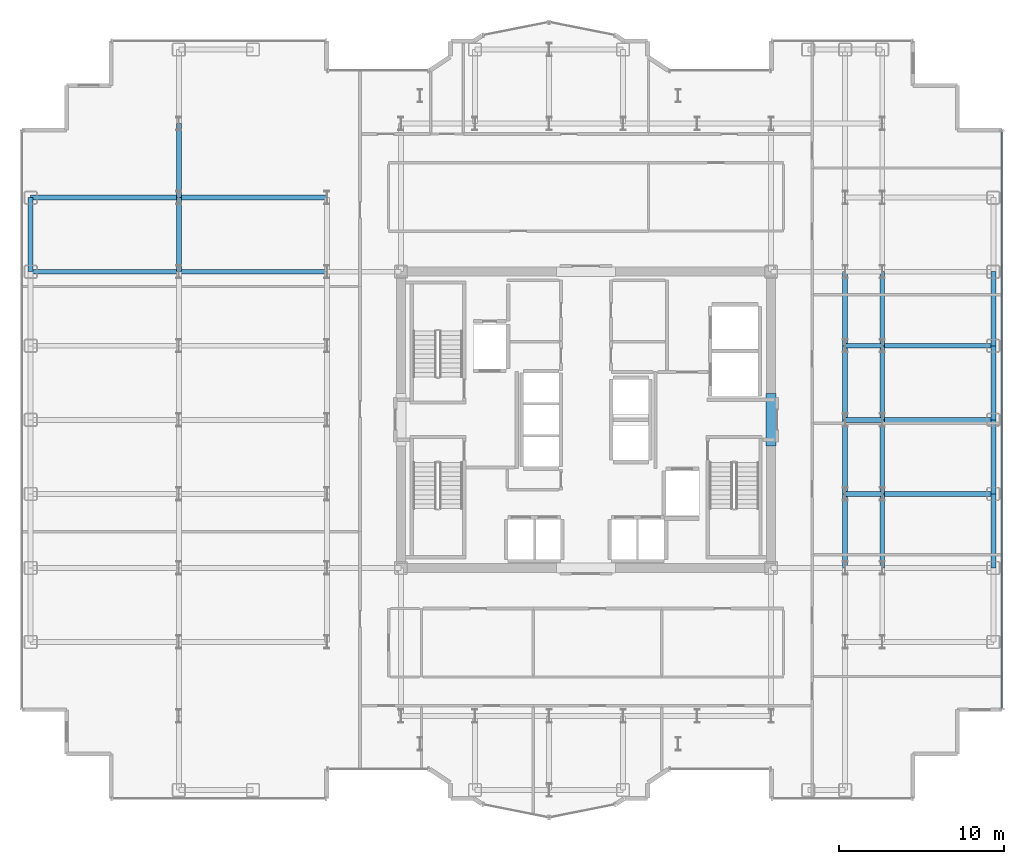
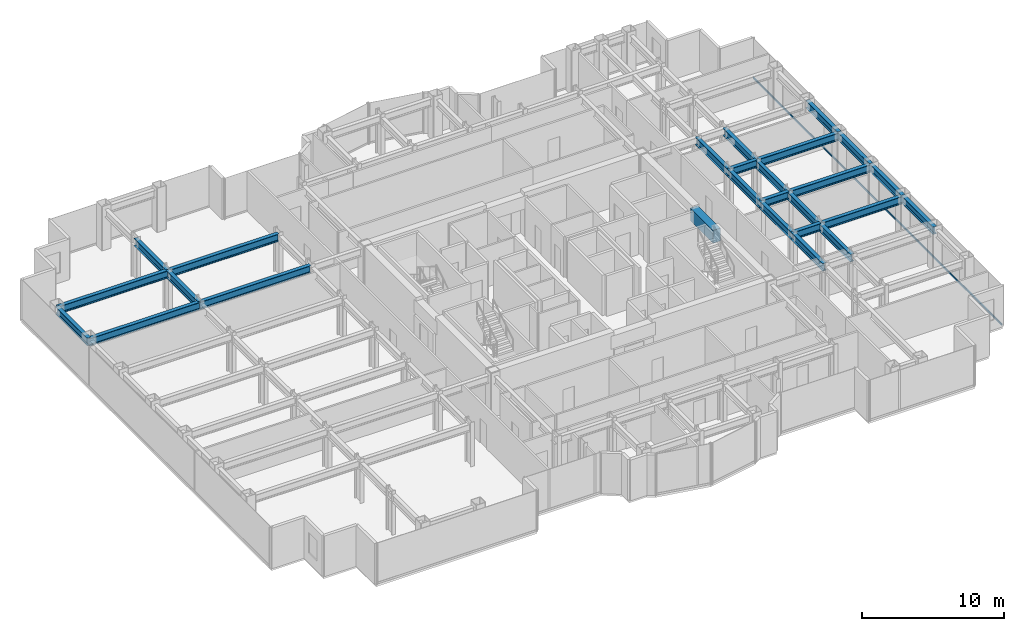
# One storey, part 9 of 23: 26 beams, 1 member, 1 element without a shape of its own.
"""IFC4 building model written with IfcOpenShell, lengths in metres."""

from ifc_helpers import new_model, si_unit, direction, frame, origin, origin_2d, place, context, subcontext, project, spatial, rectangle, hollow_rectangle, i_section, extrude, source, transform, mapped, material, layer, layer_set, material_profile, profile_set, type_object, element, aggregate, save


model = new_model("IFC4")

# Units and contexts
model_context = context("Model", 3, precision=1e-05, world=origin(), true_north=direction((0.0, 1.0)))
body_context = subcontext(model_context, "Body", "Model", "MODEL_VIEW")
ifc_project = project(units=[si_unit("LENGTHUNIT", "METRE"), si_unit("AREAUNIT", "SQUARE_METRE"), si_unit("VOLUMEUNIT", "CUBIC_METRE"), si_unit("PLANEANGLEUNIT", "RADIAN"), si_unit("MASSUNIT", "GRAM", prefix="KILO")], contexts=[model_context])

# Site, building, storey
site_placement = place(None, origin())
site = spatial("IfcSite", under=ifc_project, at=site_placement, CompositionType="ELEMENT")
building_placement = place(site_placement, origin())
building = spatial("IfcBuilding", under=site, at=building_placement, Name="Nefas-Gora Pilgrimage Tower", CompositionType="ELEMENT")
storey_placement = place(building_placement, frame((0.0, 0.0, 198.199951171875)))
storey = spatial("IfcBuildingStorey", under=building, at=storey_placement, Name="L49", CompositionType="ELEMENT", Elevation=198.199951171875)

# Beams
ifc_material_1 = material(Name="Concrete C60/75", Category="concrete")
ifc_material_profile_1 = material_profile(ifc_material_1, rectangle(XDim=0.60009765625, YDim=1.10009765625, at=origin_2d()), Name="RC 600x1100")
ifc_profile_set_1 = profile_set([ifc_material_profile_1], Name="Concrete C60/75")
beam_type_1 = type_object("IfcBeamType", Name="BM-LIN-RC1100", PredefinedType="LINTEL", material=ifc_profile_set_1)
shared_shape_1 = source(origin(), body_context, "Body", "SweptSolid", [
    extrude(rectangle(XDim=0.60009765625, YDim=1.10009765625, at=origin_2d()), origin(), (0.0, 0.0, 1.0), 3.2001953125),
])
beam_placement = place(storey_placement, frame((11.25, -1.60009765625, 2.949951171875), z_axis=(0.0, 1.0, 0.0), x_axis=(-1.0, 0.0, 0.0)))
element("IfcBeam", 1, at=beam_placement, inside=storey, type_object=beam_type_1, Name="L49 Core Coupling Lintel Beam E", PredefinedType="LINTEL", context=body_context, shape_type="MappedRepresentation", body=[
    mapped(shared_shape_1, transform((0.0, 0.0, 0.0), x_axis=(1.0, 0.0, 0.0), y_axis=(0.0, 1.0, 0.0), z_axis=(0.0, 0.0, 1.0), scale=1.0)),
])
ifc_material_2 = material(Name="Steel S355", Category="steel")
ifc_material_profile_2 = material_profile(ifc_material_2, i_section(OverallWidth=0.300048828125, OverallDepth=0.64990234375, WebThickness=0.01611328125, FlangeThickness=0.031005859375, FilletRadius=0.027099609375, at=origin_2d()), Name="HEB 650")
ifc_profile_set_2 = profile_set([ifc_material_profile_2], Name="Steel S355")
beam_type_2 = type_object("IfcBeamType", Name="BM-SPN-HEB500", PredefinedType="SPANDREL", material=ifc_profile_set_2)
shared_shape_2 = source(origin(), body_context, "Body", "SweptSolid", [
    extrude(i_section(OverallWidth=0.300048828125, OverallDepth=0.64990234375, WebThickness=0.01611328125, FlangeThickness=0.031005859375, FilletRadius=0.027099609375, at=origin_2d()), origin(), (0.0, 0.0, 1.0), 4.5),
])
for number, where, z_axis, x_axis, name in (
    (2, (-33.75, 9.0, 3.175048828125), (0.0, 1.0, 0.0), (-1.0, 0.0, 0.0), "L49 SP-02 beam"),
    (3, (24.75, -9.0, 3.175048828125), (0.0, 1.0, 0.0), (-1.0, 0.0, 0.0), "L49 SP-02 beam"),
    (4, (24.75, -4.5, 3.175048828125), (0.0, 1.0, 0.0), (-1.0, 0.0, 0.0), "L49 SP-02 beam"),
    (5, (24.75, 0.0, 3.175048828125), (0.0, 1.0, 0.0), (-1.0, 0.0, 0.0), "L49 SP-02 beam"),
    (6, (24.75, 4.5, 3.175048828125), (0.0, 1.0, 0.0), (-1.0, 0.0, 0.0), "L49 SP-02 beam"),
):
    element("IfcBeam", number, at=place(storey_placement, frame(where, z_axis=z_axis, x_axis=x_axis)), inside=storey, type_object=beam_type_2, Name=name, PredefinedType="SPANDREL", context=body_context, shape_type="MappedRepresentation", body=[
        mapped(shared_shape_2, transform((0.0, 0.0, 0.0), x_axis=(1.0, 0.0, 0.0), y_axis=(0.0, 1.0, 0.0), z_axis=(0.0, 0.0, 1.0), scale=1.0)),
    ])
ifc_material_profile_3 = material_profile(ifc_material_2, i_section(OverallWidth=0.300048828125, OverallDepth=0.64990234375, WebThickness=0.01611328125, FlangeThickness=0.031005859375, FilletRadius=0.027099609375, at=origin_2d()), Name="HEB 650")
ifc_profile_set_3 = profile_set([ifc_material_profile_3], Name="Steel S355")
beam_type_3 = type_object("IfcBeamType", Name="BM-GIR-HEB650", PredefinedType="BEAM", material=ifc_profile_set_3)
shared_shape_3 = source(origin(), body_context, "Body", "SweptSolid", [
    extrude(i_section(OverallWidth=0.300048828125, OverallDepth=0.64990234375, WebThickness=0.01611328125, FlangeThickness=0.031005859375, FilletRadius=0.027099609375, at=origin_2d()), origin(), (0.0, 0.0, 1.0), 9.0),
])
for number, where, z_axis, x_axis, name in (
    (7, (-33.75, 9.0, 3.175048828125), (1.0, 0.0, 0.0), (0.0, 1.0, 0.0), "L49 G-03 beam"),
    (8, (-33.75, 13.5, 3.175048828125), (1.0, 0.0, 0.0), (0.0, 1.0, 0.0), "L49 G-03 beam"),
    (9, (-24.75, 9.0, 3.175048828125), (1.0, 0.0, 0.0), (0.0, 1.0, 0.0), "L49 G-03 beam"),
    (10, (-24.75, 13.5, 3.175048828125), (1.0, 0.0, 0.0), (0.0, 1.0, 0.0), "L49 G-03 beam"),
):
    element("IfcBeam", number, at=place(storey_placement, frame(where, z_axis=z_axis, x_axis=x_axis)), inside=storey, type_object=beam_type_3, Name=name, PredefinedType="BEAM", context=body_context, shape_type="MappedRepresentation", body=[
        mapped(shared_shape_3, transform((0.0, 0.0, 0.0), x_axis=(1.0, 0.0, 0.0), y_axis=(0.0, 1.0, 0.0), z_axis=(0.0, 0.0, 1.0), scale=1.0)),
    ])
shared_shape_4 = source(origin(), body_context, "Body", "SweptSolid", [
    extrude(i_section(OverallWidth=0.300048828125, OverallDepth=0.64990234375, WebThickness=0.01611328125, FlangeThickness=0.031005859375, FilletRadius=0.027099609375, at=origin_2d()), origin(), (0.0, 0.0, 1.0), 4.5),
])
for number, where, z_axis, x_axis, name in (
    (11, (-24.75, 9.0, 3.175048828125), (0.0, 1.0, 0.0), (-1.0, 0.0, 0.0), "L49 G-03 beam"),
    (12, (-24.75, 13.5, 3.175048828125), (0.0, 1.0, 0.0), (-1.0, 0.0, 0.0), "L49 G-03 beam"),
    (13, (15.75, -9.0, 3.175048828125), (0.0, 1.0, 0.0), (-1.0, 0.0, 0.0), "L49 G-03 beam"),
    (14, (15.75, -4.5, 3.175048828125), (0.0, 1.0, 0.0), (-1.0, 0.0, 0.0), "L49 G-03 beam"),
    (15, (15.75, 0.0, 3.175048828125), (0.0, 1.0, 0.0), (-1.0, 0.0, 0.0), "L49 G-03 beam"),
    (16, (15.75, 4.5, 3.175048828125), (0.0, 1.0, 0.0), (-1.0, 0.0, 0.0), "L49 G-03 beam"),
    (17, (18.0, -9.0, 3.175048828125), (0.0, 1.0, 0.0), (-1.0, 0.0, 0.0), "L49 G-03 beam"),
    (18, (18.0, -4.5, 3.175048828125), (0.0, 1.0, 0.0), (-1.0, 0.0, 0.0), "L49 G-03 beam"),
    (19, (18.0, 0.0, 3.175048828125), (0.0, 1.0, 0.0), (-1.0, 0.0, 0.0), "L49 G-03 beam"),
    (20, (18.0, 4.5, 3.175048828125), (0.0, 1.0, 0.0), (-1.0, 0.0, 0.0), "L49 G-03 beam"),
):
    element("IfcBeam", number, at=place(storey_placement, frame(where, z_axis=z_axis, x_axis=x_axis)), inside=storey, type_object=beam_type_3, Name=name, PredefinedType="BEAM", context=body_context, shape_type="MappedRepresentation", body=[
        mapped(shared_shape_4, transform((0.0, 0.0, 0.0), x_axis=(1.0, 0.0, 0.0), y_axis=(0.0, 1.0, 0.0), z_axis=(0.0, 0.0, 1.0), scale=1.0)),
    ])
shared_shape_5 = source(origin(), body_context, "Body", "SweptSolid", [
    extrude(i_section(OverallWidth=0.300048828125, OverallDepth=0.64990234375, WebThickness=0.01611328125, FlangeThickness=0.031005859375, FilletRadius=0.027099609375, at=origin_2d()), origin(), (0.0, 0.0, 1.0), 6.75),
])
for number, where, z_axis, x_axis, name in (
    (21, (18.0, -4.5, 3.175048828125), (1.0, 0.0, 0.0), (0.0, 1.0, 0.0), "L49 G-03 beam"),
    (22, (18.0, 0.0, 3.175048828125), (1.0, 0.0, 0.0), (0.0, 1.0, 0.0), "L49 G-03 beam"),
    (23, (18.0, 4.5, 3.175048828125), (1.0, 0.0, 0.0), (0.0, 1.0, 0.0), "L49 G-03 beam"),
):
    element("IfcBeam", number, at=place(storey_placement, frame(where, z_axis=z_axis, x_axis=x_axis)), inside=storey, type_object=beam_type_3, Name=name, PredefinedType="BEAM", context=body_context, shape_type="MappedRepresentation", body=[
        mapped(shared_shape_5, transform((0.0, 0.0, 0.0), x_axis=(1.0, 0.0, 0.0), y_axis=(0.0, 1.0, 0.0), z_axis=(0.0, 0.0, 1.0), scale=1.0)),
    ])
shared_shape_6 = source(origin(), body_context, "Body", "SweptSolid", [
    extrude(i_section(OverallWidth=0.300048828125, OverallDepth=0.64990234375, WebThickness=0.01611328125, FlangeThickness=0.031005859375, FilletRadius=0.027099609375, at=origin_2d()), origin(), (0.0, 0.0, 1.0), 2.25),
])
for number, where, z_axis, x_axis, name in (
    (24, (15.75, -4.5, 3.175048828125), (1.0, 0.0, 0.0), (0.0, 1.0, 0.0), "L49 G-03 beam"),
    (25, (15.75, 0.0, 3.175048828125), (1.0, 0.0, 0.0), (0.0, 1.0, 0.0), "L49 G-03 beam"),
    (26, (15.75, 4.5, 3.175048828125), (1.0, 0.0, 0.0), (0.0, 1.0, 0.0), "L49 G-03 beam"),
):
    element("IfcBeam", number, at=place(storey_placement, frame(where, z_axis=z_axis, x_axis=x_axis)), inside=storey, type_object=beam_type_3, Name=name, PredefinedType="BEAM", context=body_context, shape_type="MappedRepresentation", body=[
        mapped(shared_shape_6, transform((0.0, 0.0, 0.0), x_axis=(1.0, 0.0, 0.0), y_axis=(0.0, 1.0, 0.0), z_axis=(0.0, 0.0, 1.0), scale=1.0)),
    ])

# Curtain wall, member
ifc_material_3 = material(Name="Dark ceramic-fritted solar-control aluminium-glass curtain wall", Category="aluminium")
ifc_layer = layer(ifc_material_3, 0.219970703125)
ifc_layer_set = layer_set([ifc_layer], Name="Dark ceramic-fritted solar-control aluminium-glass curtain wall")
curtain_wall_type = type_object("IfcCurtainWallType", Name="CW-SYS-3", PredefinedType="NOTDEFINED", material=ifc_layer_set)
curtain_wall_placement = place(storey_placement, origin())
curtain_wall = element("IfcCurtainWall", 27, at=curtain_wall_placement, inside=storey, type_object=curtain_wall_type, Name="L49 Unitised Curtain Wall CW3", PredefinedType="NOTDEFINED")
ifc_material_4 = material(Name="Anodised architectural aluminium", Category="aluminium")
ifc_material_profile_4 = material_profile(ifc_material_4, hollow_rectangle(XDim=0.080078125, YDim=0.159912109375, WallThickness=0.00439453125, InnerFilletRadius=0.00439453125, OuterFilletRadius=0.009033203125, at=origin_2d()), Name="ALU TRANSOM 80x160")
ifc_profile_set_4 = profile_set([ifc_material_profile_4], Name="Anodised architectural aluminium")
member_type = type_object("IfcMemberType", Name="CWM-TRN-3", PredefinedType="USERDEFINED", material=ifc_profile_set_4)
shared_shape_7 = source(origin(), body_context, "Body", "SweptSolid", [
    extrude(hollow_rectangle(XDim=0.080078125, YDim=0.159912109375, WallThickness=0.00439453125, InnerFilletRadius=0.00439453125, OuterFilletRadius=0.009033203125, at=origin_2d()), origin(), (0.0, 0.0, 1.0), 35.06005859375),
])
member_placement = place(storey_placement, frame((25.27001953125, -17.530029296875, 0.050048828125), z_axis=(0.0, 1.0, 0.0), x_axis=(-1.0, 0.0, 0.0)))
member = element("IfcMember", 28, at=member_placement, type_object=member_type, Name="CW3 Spandrel Transom", ObjectType="TRANSOM", PredefinedType="USERDEFINED", context=body_context, shape_type="MappedRepresentation", body=[
    mapped(shared_shape_7, transform((0.0, 0.0, 0.0), x_axis=(1.0, 0.0, 0.0), y_axis=(0.0, 1.0, 0.0), z_axis=(0.0, 0.0, 1.0), scale=1.0)),
])
aggregate(curtain_wall, [member])

save(model, "model.ifc")
